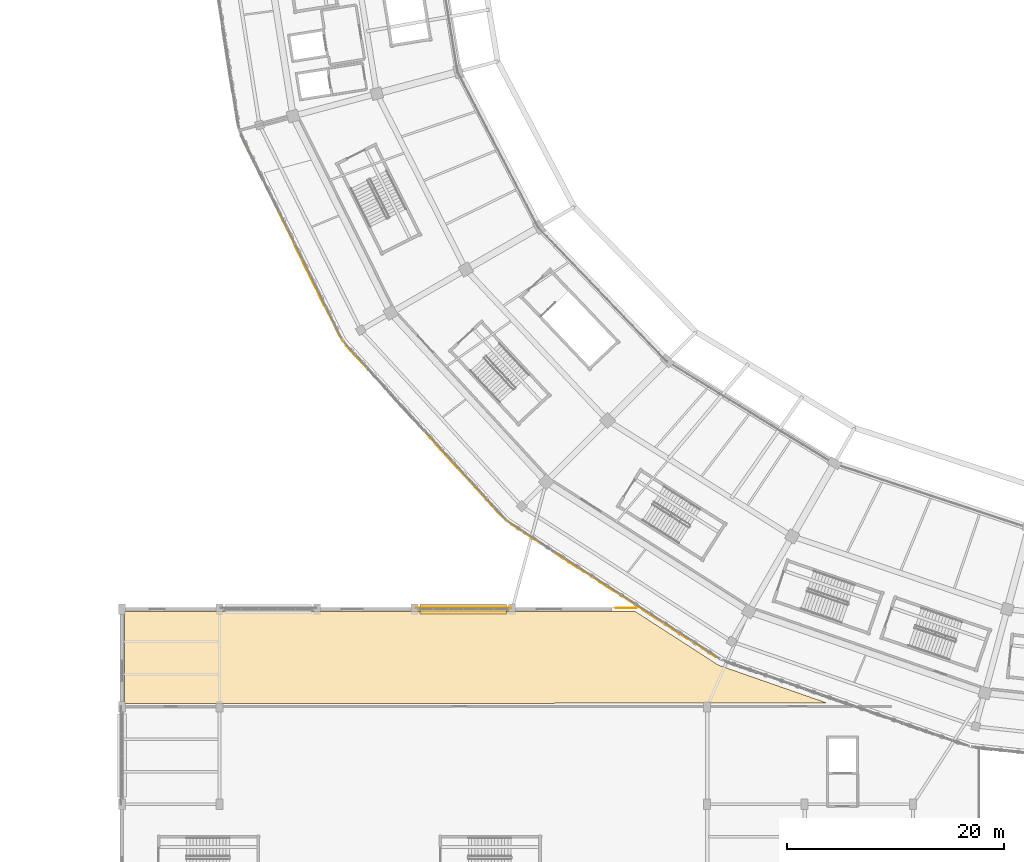
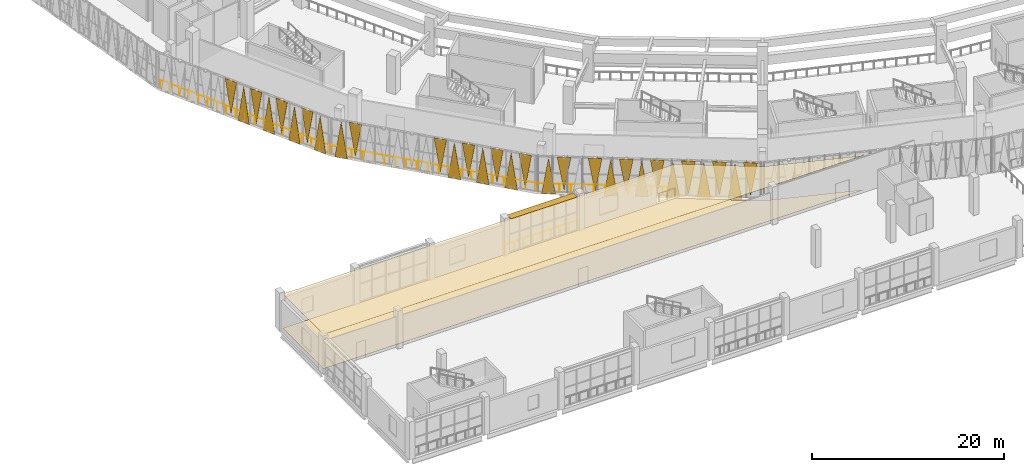
# One storey, part 128 of 179: 32 coverings, 5 railings, 1 shading device.
"""IFC4 building model written with IfcOpenShell, lengths in metres."""

from ifc_helpers import new_model, si_unit, direction, frame, origin, origin_2d, place, context, subcontext, project, spatial, polyline, rectangle, circle, outline, extrude, material, layer, layer_set, type_object, element, save


model = new_model("IFC4")

# Units and contexts
model_context = context("Model", 3, precision=1e-05, world=origin(), true_north=direction((0.0, 1.0)))
body_context = subcontext(model_context, "Body", "Model", "MODEL_VIEW")
ifc_project = project(units=[si_unit("LENGTHUNIT", "METRE"), si_unit("AREAUNIT", "SQUARE_METRE"), si_unit("VOLUMEUNIT", "CUBIC_METRE"), si_unit("PLANEANGLEUNIT", "RADIAN"), si_unit("MASSUNIT", "GRAM", prefix="KILO")], contexts=[model_context])

# Site, building, storey
site_placement = place(None, origin())
site = spatial("IfcSite", under=ifc_project, at=site_placement, CompositionType="ELEMENT")
building_placement = place(site_placement, origin())
building = spatial("IfcBuilding", under=site, at=building_placement, Name="Zevraka Park Crest Stadium", CompositionType="ELEMENT")
storey_placement = place(building_placement, frame((0.0, 0.0, 10.199951171875)))
storey = spatial("IfcBuildingStorey", under=building, at=storey_placement, Name="L02", CompositionType="ELEMENT", Elevation=10.199951171875)

# Coverings
ifc_material_1 = material(Name="Architectural golden-bronze perforated aluminium", Category="aluminium")
ifc_layer_1 = layer(ifc_material_1, 0.034912109375)
ifc_layer_set_1 = layer_set([ifc_layer_1], Name="Architectural golden-bronze perforated aluminium")
covering_type_1 = type_object("IfcCoveringType", Name="CLD01", PredefinedType="CLADDING", material=ifc_layer_set_1)
covering_1_placement = place(storey_placement, frame((24.137939453125, 62.2451171875, 4.47998046875), z_axis=(-0.897434992361, -0.441146717572, 8.9788862e-05), x_axis=(-0.44114671935, 0.897434995978, 0.0)))
element("IfcCovering", 1, at=covering_1_placement, inside=storey, type_object=covering_type_1, Name="Triangular Golden-Bronze Perforated Cladding L02-13-6", PredefinedType="CLADDING", context=body_context, shape_type="SweptSolid", body=[
    extrude(outline(polyline([(0.0, 0.0), (1.4350251579737685, 0.0), (0.717564581570145, 4.260009782797184), (0.0, 0.0)])), origin(), (0.0, 0.0, -1.0), 0.034912109375),
])
covering_2_placement = place(storey_placement, frame((24.2080078125, 62.10107421875, -0.239990234375), z_axis=(-0.897335594174, -0.441348861095, 0.000119322257), x_axis=(0.441348864237, -0.897335600562, 0.0)))
element("IfcCovering", 2, at=covering_2_placement, inside=storey, type_object=covering_type_1, Name="Triangular Golden-Bronze Perforated Cladding L02-13-7", PredefinedType="CLADDING", context=body_context, shape_type="SweptSolid", body=[
    extrude(outline(polyline([(0.0, 0.0), (1.4343678933426742, 0.0), (0.7169074213039619, 4.560058626212604), (0.0, 0.0)])), origin(), (0.0, 0.0, -1.0), 0.034912109375),
])
covering_3_placement = place(storey_placement, frame((25.5439453125, 59.382080078125, 4.47998046875), z_axis=(0.897434989947, 0.441146716385, 0.000115938685), x_axis=(-0.44114671935, 0.897434995978, 0.0)))
element("IfcCovering", 3, at=covering_3_placement, inside=storey, type_object=covering_type_1, Name="Triangular Golden-Bronze Perforated Cladding L02-13-8", PredefinedType="CLADDING", context=body_context, shape_type="SweptSolid", body=[
    extrude(outline(polyline([(0.0, 0.0), (1.4350251579737685, 0.0), (0.7171337742270297, -4.260009794256054), (0.0, 0.0)])), origin(), (0.0, 0.0, -1.0), 0.034912109375),
])
covering_4_placement = place(storey_placement, frame((25.614990234375, 59.239013671875, -0.239990234375), z_axis=(0.897468090966, 0.441079370712, 0.000120123687), x_axis=(0.441079373894, -0.897468097441, 0.0)))
element("IfcCovering", 4, at=covering_4_placement, inside=storey, type_object=covering_type_1, Name="Triangular Golden-Bronze Perforated Cladding L02-13-9", PredefinedType="CLADDING", context=body_context, shape_type="SweptSolid", body=[
    extrude(outline(polyline([(0.0, 0.0), (1.4352442623555979, 0.0), (0.7173529176927561, -4.56005862665014), (0.0, 0.0)])), origin(), (0.0, 0.0, -1.0), 0.034912109375),
])
covering_5_placement = place(storey_placement, frame((26.950927734375, 56.52001953125, 4.47998046875), z_axis=(0.897369847481, 0.441279196484, 0.000166080445), x_axis=(-0.44127920257, 0.897369859857, 0.0)))
element("IfcCovering", 5, at=covering_5_placement, inside=storey, type_object=covering_type_1, Name="Triangular Golden-Bronze Perforated Cladding L02-13-10", PredefinedType="CLADDING", context=body_context, shape_type="SweptSolid", body=[
    extrude(outline(polyline([(0.0, 0.0), (1.4340410704018465, 0.0), (0.7173527779363971, -4.260009824376318), (0.0, 0.0)])), origin(), (0.0, 0.0, -1.0), 0.034912109375),
])
covering_6_placement = place(storey_placement, frame((27.02197265625, 56.3759765625, -0.239990234375), z_axis=(0.897737356227, 0.440531087049, 2.4031946e-05), x_axis=(0.440531087176, -0.897737356486, 0.0)))
element("IfcCovering", 6, at=covering_6_placement, inside=storey, type_object=covering_type_1, Name="Triangular Golden-Bronze Perforated Cladding L02-13-11", PredefinedType="CLADDING", context=body_context, shape_type="SweptSolid", body=[
    extrude(outline(polyline([(0.0, 0.0), (1.4348137884574985, -1.6940658945086007e-21), (0.7173531184612717, -4.560058595066796), (0.0, 0.0)])), origin(), (0.0, 0.0, -1.0), 0.034912109375),
])
covering_7_placement = place(storey_placement, frame((28.35791015625, 53.656982421875, 4.47998046875), z_axis=(-0.897535423701, -0.44094234614, 0.000102875285), x_axis=(-0.440942348473, 0.89753542845, 0.0)))
element("IfcCovering", 7, at=covering_7_placement, inside=storey, type_object=covering_type_1, Name="Triangular Golden-Bronze Perforated Cladding L02-13-12", PredefinedType="CLADDING", context=body_context, shape_type="SweptSolid", body=[
    extrude(outline(polyline([(0.0, 0.0), (1.4351365936876894, 0.0), (0.717783600724935, 4.260009788167531), (0.0, 0.0)])), origin(), (0.0, 0.0, -1.0), 0.034912109375),
])
covering_8_placement = place(storey_placement, frame((28.427978515625, 53.512939453125, -0.239990234375), z_axis=(-0.897302423981, -0.441416274973, 0.000179183893), x_axis=(0.441416282059, -0.897302438386, 0.0)))
element("IfcCovering", 8, at=covering_8_placement, inside=storey, type_object=covering_type_1, Name="Triangular Golden-Bronze Perforated Cladding L02-13-13", PredefinedType="CLADDING", context=body_context, shape_type="SweptSolid", body=[
    extrude(outline(polyline([(0.0, 0.0), (1.4341488213161262, 0.0), (0.7167961598302272, 4.560058666954599), (0.0, 0.0)])), origin(), (0.0, 0.0, -1.0), 0.034912109375),
])
covering_9_placement = place(storey_placement, frame((29.652099609375, 51.35791015625, -0.239990234375), z_axis=(0.739533407377, 0.673119854594, 2.6908331e-05), x_axis=(0.673119854838, -0.739533407645, 0.0)))
element("IfcCovering", 9, at=covering_9_placement, inside=storey, type_object=covering_type_1, Name="Triangular Golden-Bronze Perforated Cladding L02-14-1", PredefinedType="CLADDING", context=body_context, shape_type="SweptSolid", body=[
    extrude(outline(polyline([(0.0, 0.0), (1.3858770045481608, -3.3881317890172014e-21), (0.6921665622222286, -4.560058595400875), (0.0, 0.0)])), origin(), (0.0, 0.0, -1.0), 0.034912109375),
])
covering_10_placement = place(storey_placement, frame((31.6259765625, 49.18994140625, 4.47998046875), z_axis=(-0.739174910845, -0.673513505333, 9.6497436e-05), x_axis=(-0.673513508469, 0.739174914286, 0.0)))
element("IfcCovering", 10, at=covering_10_placement, inside=storey, type_object=covering_type_1, Name="Triangular Golden-Bronze Perforated Cladding L02-14-2", PredefinedType="CLADDING", context=body_context, shape_type="SweptSolid", body=[
    extrude(outline(polyline([(0.0, 0.0), (1.3868794307835661, 1.3552527156068805e-20), (0.6929885588278876, 4.260009785459085), (0.0, 0.0)])), origin(), (0.0, 0.0, -1.0), 0.034912109375),
])
covering_11_placement = place(storey_placement, frame((37.8701171875, 42.330078125, 4.47998046875), z_axis=(-0.739445708947, -0.673216174272, 0.00016191895), x_axis=(-0.673216183098, 0.73944571864, 0.0)))
element("IfcCovering", 11, at=covering_11_placement, inside=storey, type_object=covering_type_1, Name="Triangular Golden-Bronze Perforated Cladding L02-14-8", PredefinedType="CLADDING", context=body_context, shape_type="SweptSolid", body=[
    extrude(outline(polyline([(0.0, 0.0), (1.3860413522097383, 1.3552527156068805e-20), (0.6929883374644674, 4.2600098214689295), (0.0, 0.0)])), origin(), (0.0, 0.0, -1.0), 0.034912109375),
])
covering_12_placement = place(storey_placement, frame((37.97802734375, 42.2119140625, -0.239990234375), z_axis=(0.739533401254, 0.673119849021, 0.000131466956), x_axis=(0.673119854838, -0.739533407645, 0.0)))
element("IfcCovering", 12, at=covering_12_placement, inside=storey, type_object=covering_type_1, Name="Triangular Golden-Bronze Perforated Cladding L02-14-9", PredefinedType="CLADDING", context=body_context, shape_type="SweptSolid", body=[
    extrude(outline(polyline([(0.0, 0.0), (1.3858770045481608, -1.3552527156068805e-20), (0.6930530987176917, -4.560058633157025), (0.0, 0.0)])), origin(), (0.0, 0.0, -1.0), 0.034912109375),
])
covering_13_placement = place(storey_placement, frame((39.950927734375, 40.04296875, 4.47998046875), z_axis=(0.7396132, 0.673032159371, 0.000163824932), x_axis=(-0.673032168403, 0.739613209925, 0.0)))
element("IfcCovering", 13, at=covering_13_placement, inside=storey, type_object=covering_type_1, Name="Triangular Golden-Bronze Perforated Cladding L02-14-10", PredefinedType="CLADDING", context=body_context, shape_type="SweptSolid", body=[
    extrude(outline(polyline([(0.0, 0.0), (1.386057564438635, 1.3552527156068805e-20), (0.6928888504307142, -4.260009822791368), (0.0, 0.0)])), origin(), (0.0, 0.0, -1.0), 0.034912109375),
])
covering_14_placement = place(storey_placement, frame((40.05908203125, 39.925048828125, -0.239990234375), z_axis=(-0.739613209914, -0.673032168393, 5.347016e-06), x_axis=(0.673032168403, -0.739613209925, 0.0)))
element("IfcCovering", 14, at=covering_14_placement, inside=storey, type_object=covering_type_1, Name="Triangular Golden-Bronze Perforated Cladding L02-14-11", PredefinedType="CLADDING", context=body_context, shape_type="SweptSolid", body=[
    extrude(outline(polyline([(0.0, 0.0), (1.386057564438635, 0.0), (0.69354610840767, 4.560058593815188), (0.0, 0.0)])), origin(), (0.0, 0.0, -1.0), 0.034912109375),
])
covering_15_placement = place(storey_placement, frame((42.032958984375, 37.757080078125, 4.47998046875), z_axis=(-0.739533395247, -0.673119843554, 0.000183109243), x_axis=(-0.673119854838, 0.739533407645, 0.0)))
element("IfcCovering", 15, at=covering_15_placement, inside=storey, type_object=covering_type_1, Name="Triangular Golden-Bronze Perforated Cladding L02-14-12", PredefinedType="CLADDING", context=body_context, shape_type="SweptSolid", body=[
    extrude(outline(polyline([(0.0, 0.0), (1.3858770045481608, -2.710505431213761e-20), (0.692988241732529, 4.260009837041926), (0.0, 0.0)])), origin(), (0.0, 0.0, -1.0), 0.034912109375),
])
covering_16_placement = place(storey_placement, frame((42.139892578125, 37.637939453125, -0.239990234375), z_axis=(-0.739095043274, -0.673601151874, 7.212776e-05), x_axis=(0.673601153626, -0.739095045196, 0.0)))
element("IfcCovering", 16, at=covering_16_placement, inside=storey, type_object=covering_type_1, Name="Triangular Golden-Bronze Perforated Cladding L02-14-13", PredefinedType="CLADDING", context=body_context, shape_type="SweptSolid", body=[
    extrude(outline(polyline([(0.0, 0.0), (1.3866989779070185, -6.776263578034403e-21), (0.6929886027009718, 4.560058605611656), (0.0, 0.0)])), origin(), (0.0, 0.0, -1.0), 0.034912109375),
])
covering_17_placement = place(storey_placement, frame((44.114013671875, 35.469970703125, 4.47998046875), z_axis=(-0.739525534251, -0.67312850486, 1.1678044e-05), x_axis=(-0.673128504906, 0.739525534301, 0.0)))
element("IfcCovering", 17, at=covering_17_placement, inside=storey, type_object=covering_type_1, Name="Triangular Golden-Bronze Perforated Cladding L02-14-14", PredefinedType="CLADDING", context=body_context, shape_type="SweptSolid", body=[
    extrude(outline(polyline([(0.0, 0.0), (1.386221890693398, -1.6940658945086007e-21), (0.6923308987535437, 4.260009765915483), (0.0, 0.0)])), origin(), (0.0, 0.0, -1.0), 0.034912109375),
])
covering_18_placement = place(storey_placement, frame((44.916015625, 34.7900390625, -0.239990234375), z_axis=(-0.543285997877, -0.839547690307, 1.4543474e-05), x_axis=(0.839547690396, -0.543285997934, 0.0)))
element("IfcCovering", 18, at=covering_18_placement, inside=storey, type_object=covering_type_1, Name="Triangular Golden-Bronze Perforated Cladding L02-15-1", PredefinedType="CLADDING", context=body_context, shape_type="SweptSolid", body=[
    extrude(outline(polyline([(0.0, 0.0), (1.457781335266565, 1.6940658945086007e-21), (0.7289931514822077, 4.560058594232255), (0.0, 0.0)])), origin(), (0.0, 0.0, -1.0), 0.034912109375),
])
covering_19_placement = place(storey_placement, frame((47.4990234375, 33.118896484375, 4.47998046875), z_axis=(-0.543209619056, -0.839597111575, 0.0), x_axis=(-0.839597111575, 0.543209619056, 0.0)))
element("IfcCovering", 19, at=covering_19_placement, inside=storey, type_object=covering_type_1, Name="Triangular Golden-Bronze Perforated Cladding L02-15-2", PredefinedType="CLADDING", context=body_context, shape_type="SweptSolid", body=[
    extrude(outline(polyline([(0.0, 0.0), (1.4579863089976983, 0.0), (0.7289931544988492, 4.260009765625), (0.0, 0.0)])), origin(), (0.0, 0.0, -1.0), 0.034912109375),
])
covering_20_placement = place(storey_placement, frame((50.217041015625, 31.362060546875, 4.47998046875), z_axis=(0.542904272256, 0.839794586369, 6.2227551e-05), x_axis=(-0.839794587995, 0.542904273307, 0.0)))
element("IfcCovering", 20, at=covering_20_placement, inside=storey, type_object=covering_type_1, Name="Triangular Golden-Bronze Perforated Cladding L02-15-4", PredefinedType="CLADDING", context=body_context, shape_type="SweptSolid", body=[
    extrude(outline(polyline([(0.0, 0.0), (1.458806324503112, 0.0), (0.7289931063003867, -4.260009773872949), (0.0, 0.0)])), origin(), (0.0, 0.0, -1.0), 0.034912109375),
])
covering_21_placement = place(storey_placement, frame((50.35107421875, 31.27490234375, -0.239990234375), z_axis=(0.542980582853, 0.839745247895, 7.2676489e-05), x_axis=(0.839745250113, -0.542980584287, 0.0)))
element("IfcCovering", 21, at=covering_21_placement, inside=storey, type_object=covering_type_1, Name="Triangular Golden-Bronze Perforated Cladding L02-15-5", PredefinedType="CLADDING", context=body_context, shape_type="SweptSolid", body=[
    extrude(outline(polyline([(0.0, 0.0), (1.4586013025497944, 0.0), (0.7287881114493888, -4.560058605792824), (0.0, 0.0)])), origin(), (0.0, 0.0, -1.0), 0.034912109375),
])
covering_22_placement = place(storey_placement, frame((52.93505859375, 29.60400390625, 4.47998046875), z_axis=(-0.542904272256, -0.839794586369, 6.2227551e-05), x_axis=(-0.839794587995, 0.542904273307, 0.0)))
element("IfcCovering", 22, at=covering_22_placement, inside=storey, type_object=covering_type_1, Name="Triangular Golden-Bronze Perforated Cladding L02-15-6", PredefinedType="CLADDING", context=body_context, shape_type="SweptSolid", body=[
    extrude(outline(polyline([(0.0, 0.0), (1.458806324503112, 0.0), (0.729813218202725, 4.260009773872949), (0.0, 0.0)])), origin(), (0.0, 0.0, -1.0), 0.034912109375),
])
covering_23_placement = place(storey_placement, frame((53.069091796875, 29.51708984375, -0.239990234375), z_axis=(0.543285997877, 0.839547690307, 1.4543474e-05), x_axis=(0.839547690396, -0.543285997934, 0.0)))
element("IfcCovering", 23, at=covering_23_placement, inside=storey, type_object=covering_type_1, Name="Triangular Golden-Bronze Perforated Cladding L02-15-7", PredefinedType="CLADDING", context=body_context, shape_type="SweptSolid", body=[
    extrude(outline(polyline([(0.0, 0.0), (1.457781335266565, 1.6940658945086007e-21), (0.7287881837843572, -4.560058594232255), (0.0, 0.0)])), origin(), (0.0, 0.0, -1.0), 0.034912109375),
])
covering_24_placement = place(storey_placement, frame((55.652099609375, 27.845947265625, 4.47998046875), z_axis=(-0.543209619056, -0.839597111575, 0.0), x_axis=(-0.839597111575, 0.543209619056, 0.0)))
element("IfcCovering", 24, at=covering_24_placement, inside=storey, type_object=covering_type_1, Name="Triangular Golden-Bronze Perforated Cladding L02-15-8", PredefinedType="CLADDING", context=body_context, shape_type="SweptSolid", body=[
    extrude(outline(polyline([(0.0, 0.0), (1.4579863089976983, 0.0), (0.7289931544988492, 4.260009765625), (0.0, 0.0)])), origin(), (0.0, 0.0, -1.0), 0.034912109375),
])
covering_25_placement = place(storey_placement, frame((55.785888671875, 27.759033203125, -0.239990234375), z_axis=(-0.54290427239, -0.839794586576, 5.813302e-05), x_axis=(0.839794587995, -0.542904273307, 0.0)))
element("IfcCovering", 25, at=covering_25_placement, inside=storey, type_object=covering_type_1, Name="Triangular Golden-Bronze Perforated Cladding L02-15-9", PredefinedType="CLADDING", context=body_context, shape_type="SweptSolid", body=[
    extrude(outline(polyline([(0.0, 0.0), (1.458806324503112, 0.0), (0.729813218202725, 4.56005860145524), (0.0, 0.0)])), origin(), (0.0, 0.0, -1.0), 0.034912109375),
])
covering_26_placement = place(storey_placement, frame((58.3701171875, 26.087890625, 4.47998046875), z_axis=(0.542904272256, 0.839794586369, 6.2227551e-05), x_axis=(-0.839794587995, 0.542904273307, 0.0)))
element("IfcCovering", 26, at=covering_26_placement, inside=storey, type_object=covering_type_1, Name="Triangular Golden-Bronze Perforated Cladding L02-15-10", PredefinedType="CLADDING", context=body_context, shape_type="SweptSolid", body=[
    extrude(outline(polyline([(0.0, 0.0), (1.458806324503112, 0.0), (0.7289931063003867, -4.260009773872949), (0.0, 0.0)])), origin(), (0.0, 0.0, -1.0), 0.034912109375),
])
covering_27_placement = place(storey_placement, frame((58.50390625, 26.0009765625, -0.239990234375), z_axis=(0.54290427239, 0.839794586576, 5.813302e-05), x_axis=(0.839794587995, -0.542904273307, 0.0)))
element("IfcCovering", 27, at=covering_27_placement, inside=storey, type_object=covering_type_1, Name="Triangular Golden-Bronze Perforated Cladding L02-15-11", PredefinedType="CLADDING", context=body_context, shape_type="SweptSolid", body=[
    extrude(outline(polyline([(0.0, 0.0), (1.458806324503112, 0.0), (0.7289931063003867, -4.56005860145524), (0.0, 0.0)])), origin(), (0.0, 0.0, -1.0), 0.034912109375),
])
covering_28_placement = place(storey_placement, frame((61.0869140625, 24.3310546875, 4.47998046875), z_axis=(0.543285997868, 0.839547690294, 1.5567826e-05), x_axis=(-0.839547690396, 0.543285997934, 0.0)))
element("IfcCovering", 28, at=covering_28_placement, inside=storey, type_object=covering_type_1, Name="Triangular Golden-Bronze Perforated Cladding L02-15-12", PredefinedType="CLADDING", context=body_context, shape_type="SweptSolid", body=[
    extrude(outline(polyline([(0.0, 0.0), (1.457781335266565, -1.6940658945086007e-21), (0.7287881837843572, -4.260009766141223), (0.0, 0.0)])), origin(), (0.0, 0.0, -1.0), 0.034912109375),
])
covering_29_placement = place(storey_placement, frame((61.221923828125, 24.243896484375, -0.239990234375), z_axis=(-0.543209619056, -0.839597111575, 0.0), x_axis=(0.839597111575, -0.543209619056, 0.0)))
element("IfcCovering", 29, at=covering_29_placement, inside=storey, type_object=covering_type_1, Name="Triangular Golden-Bronze Perforated Cladding L02-15-13", PredefinedType="CLADDING", context=body_context, shape_type="SweptSolid", body=[
    extrude(outline(polyline([(0.0, 0.0), (1.4579863089976983, 0.0), (0.7289931544988492, 4.56005859375), (0.0, 0.0)])), origin(), (0.0, 0.0, -1.0), 0.034912109375),
])
covering_30_placement = place(storey_placement, frame((63.804931640625, 22.572998046875, 4.47998046875), z_axis=(0.543285997868, 0.839547690294, 1.5567826e-05), x_axis=(-0.839547690396, 0.543285997934, 0.0)))
element("IfcCovering", 30, at=covering_30_placement, inside=storey, type_object=covering_type_1, Name="Triangular Golden-Bronze Perforated Cladding L02-15-14", PredefinedType="CLADDING", context=body_context, shape_type="SweptSolid", body=[
    extrude(outline(polyline([(0.0, 0.0), (1.457781335266565, -1.6940658945086007e-21), (0.7287881837843572, -4.260009766141223), (0.0, 0.0)])), origin(), (0.0, 0.0, -1.0), 0.034912109375),
])
ifc_material_2 = material(Name="Perforated acoustic mineral-fibre suspended ceiling", Category="other")
ifc_layer_2 = layer(ifc_material_2, 0.02490234375)
ifc_layer_set_2 = layer_set([ifc_layer_2], Name="Perforated acoustic mineral-fibre suspended ceiling")
covering_type_2 = type_object("IfcCoveringType", Name="CLG01", PredefinedType="CEILING", material=ifc_layer_set_2)
covering_31_placement = place(storey_placement, frame((0.0, 0.0, 4.360107421875)))
element("IfcCovering", 31, at=covering_31_placement, inside=storey, type_object=covering_type_2, Name="Acoustic Ceiling Event Security and Accreditation Office L02-066", PredefinedType="CEILING", context=body_context, shape_type="SweptSolid", body=[
    extrude(outline(polyline([(9.2060546875, 18.300048828125), (9.205078125, 26.7939453125), (56.344970703125, 26.794921875), (64.02001953125, 21.843017578125), (64.0400390625, 21.8310546875), (64.06201171875, 21.822021484375), (74.0791015625, 18.323974609375), (9.2060546875, 18.300048828125)])), origin(), (0.0, 0.0, 1.0), 0.02490234375),
])
ifc_material_3 = material(Name="Honed terrazzo and slip-resistant sports flooring", Category="other")
ifc_layer_3 = layer(ifc_material_3, 0.0400390625)
ifc_layer_set_3 = layer_set([ifc_layer_3], Name="Honed terrazzo and slip-resistant sports flooring")
covering_type_3 = type_object("IfcCoveringType", Name="FLR01", PredefinedType="FLOORING", material=ifc_layer_set_3)
covering_32_placement = place(storey_placement, origin())
element("IfcCovering", 32, at=covering_32_placement, inside=storey, type_object=covering_type_3, Name="Terrazzo Floor Finish Event Security and Accreditation Office L02-066", PredefinedType="FLOORING", context=body_context, shape_type="SweptSolid", body=[
    extrude(outline(polyline([(9.2060546875, 18.300048828125), (9.205078125, 26.7939453125), (56.344970703125, 26.794921875), (64.02001953125, 21.843017578125), (64.0400390625, 21.8310546875), (64.06201171875, 21.822021484375), (74.0791015625, 18.323974609375), (9.2060546875, 18.300048828125)])), origin(), (0.0, 0.0, 1.0), 0.0400390625),
])

# Railings
ifc_material_4 = material(Name="Galvanised and bronze-finished steel balustrade", Category="steel")
railing_type = type_object("IfcRailingType", Name="GR01", PredefinedType="GUARDRAIL", material=ifc_material_4)
railing_1_placement = place(storey_placement, frame((36.115966796875, 27.10498046875, 0.0)))
element("IfcRailing", 33, at=railing_1_placement, inside=storey, type_object=railing_type, Name="Deck Edge Protection Guardrail GR01 L02-43", PredefinedType="GUARDRAIL", context=body_context, shape_type="SweptSolid", body=[
    extrude(circle(Radius=0.02392578125, at=origin_2d()), frame((0.0, 0.0, 1.076171875), z_axis=(1.0, 0.0, 0.0), x_axis=(0.0, 1.0, 0.0)), (0.0, 0.0, 1.0), 8.76806640625),
    extrude(circle(Radius=0.02099609375, at=origin_2d()), origin(), (0.0, 0.0, 1.0), 1.052001953125),
    extrude(circle(Radius=0.02099609375, at=origin_2d()), frame((1.095947265625, 0.0, 0.0)), (0.0, 0.0, 1.0), 1.052001953125),
    extrude(circle(Radius=0.02099609375, at=origin_2d()), frame((2.19189453125, 0.0, 0.0)), (0.0, 0.0, 1.0), 1.052001953125),
    extrude(circle(Radius=0.02099609375, at=origin_2d()), frame((3.2880859375, 0.0, 0.0)), (0.0, 0.0, 1.0), 1.052001953125),
    extrude(circle(Radius=0.02099609375, at=origin_2d()), frame((4.384033203125, 0.0, 0.0)), (0.0, 0.0, 1.0), 1.052001953125),
    extrude(circle(Radius=0.02099609375, at=origin_2d()), frame((5.47998046875, 0.0, 0.0)), (0.0, 0.0, 1.0), 1.052001953125),
    extrude(circle(Radius=0.02099609375, at=origin_2d()), frame((6.576171875, 0.0, 0.0)), (0.0, 0.0, 1.0), 1.052001953125),
    extrude(circle(Radius=0.02099609375, at=origin_2d()), frame((7.672119140625, 0.0, 0.0)), (0.0, 0.0, 1.0), 1.052001953125),
    extrude(circle(Radius=0.02099609375, at=origin_2d()), frame((8.76806640625, 0.0, 0.0)), (0.0, 0.0, 1.0), 1.052001953125),
])
railing_2_placement = place(storey_placement, frame((54.56591796875, 27.10498046875, 0.0)))
element("IfcRailing", 34, at=railing_2_placement, inside=storey, type_object=railing_type, Name="Deck Edge Protection Guardrail GR01 L02-44", PredefinedType="GUARDRAIL", context=body_context, shape_type="SweptSolid", body=[
    extrude(circle(Radius=0.02392578125, at=origin_2d()), frame((0.0, 0.0, 1.076171875), z_axis=(1.0, 0.0, 0.0), x_axis=(0.0, 1.0, 0.0)), (0.0, 0.0, 1.0), 1.93017578125),
    extrude(circle(Radius=0.02099609375, at=origin_2d()), origin(), (0.0, 0.0, 1.0), 1.052001953125),
    extrude(circle(Radius=0.02099609375, at=origin_2d()), frame((0.965087890625, 0.0, 0.0)), (0.0, 0.0, 1.0), 1.052001953125),
    extrude(circle(Radius=0.02099609375, at=origin_2d()), frame((1.93017578125, 0.0, 0.0)), (0.0, 0.0, 1.0), 1.052001953125),
])
railing_3_placement = place(storey_placement, frame((56.556884765625, 27.343994140625, 0.0)))
element("IfcRailing", 35, at=railing_3_placement, inside=storey, type_object=railing_type, Name="Deck Edge Protection Guardrail GR01 L02-45", PredefinedType="GUARDRAIL", context=body_context, shape_type="SweptSolid", body=[
    extrude(circle(Radius=0.02392578125, at=origin_2d()), frame((0.0, 0.0, 1.076171875), z_axis=(-0.839645521014, 0.543134789017, 0.0), x_axis=(-0.543134789017, -0.839645521014, 0.0)), (0.0, 0.0, 1.0), 14.339111328125),
    extrude(circle(Radius=0.02099609375, at=origin_2d()), origin(), (0.0, 0.0, 1.0), 1.052001953125),
    extrude(circle(Radius=0.02099609375, at=origin_2d()), frame((-1.00341796875, 0.64892578125, 0.0)), (0.0, 0.0, 1.0), 1.052001953125),
    extrude(circle(Radius=0.02099609375, at=origin_2d()), frame((-2.006591796875, 1.298095703125, 0.0)), (0.0, 0.0, 1.0), 1.052001953125),
    extrude(circle(Radius=0.02099609375, at=origin_2d()), frame((-3.010009765625, 1.947021484375, 0.0)), (0.0, 0.0, 1.0), 1.052001953125),
    extrude(circle(Radius=0.02099609375, at=origin_2d()), frame((-4.01318359375, 2.595947265625, 0.0)), (0.0, 0.0, 1.0), 1.052001953125),
    extrude(circle(Radius=0.02099609375, at=origin_2d()), frame((-5.0166015625, 3.2451171875, 0.0)), (0.0, 0.0, 1.0), 1.052001953125),
    extrude(circle(Radius=0.02099609375, at=origin_2d()), frame((-6.02001953125, 3.89404296875, 0.0)), (0.0, 0.0, 1.0), 1.052001953125),
    extrude(circle(Radius=0.02099609375, at=origin_2d()), frame((-7.023193359375, 4.54296875, 0.0)), (0.0, 0.0, 1.0), 1.052001953125),
    extrude(circle(Radius=0.02099609375, at=origin_2d()), frame((-8.026611328125, 5.192138671875, 0.0)), (0.0, 0.0, 1.0), 1.052001953125),
    extrude(circle(Radius=0.02099609375, at=origin_2d()), frame((-9.02978515625, 5.841064453125, 0.0)), (0.0, 0.0, 1.0), 1.052001953125),
    extrude(circle(Radius=0.02099609375, at=origin_2d()), frame((-10.033203125, 6.489990234375, 0.0)), (0.0, 0.0, 1.0), 1.052001953125),
    extrude(circle(Radius=0.02099609375, at=origin_2d()), frame((-11.036376953125, 7.13916015625, 0.0)), (0.0, 0.0, 1.0), 1.052001953125),
    extrude(circle(Radius=0.02099609375, at=origin_2d()), frame((-12.039794921875, 7.7880859375, 0.0)), (0.0, 0.0, 1.0), 1.052001953125),
])
railing_4_placement = place(storey_placement, frame((44.51708984375, 35.132080078125, 0.0)))
element("IfcRailing", 36, at=railing_4_placement, inside=storey, type_object=railing_type, Name="Deck Edge Protection Guardrail GR01 L02-46", PredefinedType="GUARDRAIL", context=body_context, shape_type="SweptSolid", body=[
    extrude(circle(Radius=0.02392578125, at=origin_2d()), frame((0.0, 0.0, 1.076171875), z_axis=(-0.673170013171, 0.739487750654, 0.0), x_axis=(-0.739487750654, -0.673170013171, 0.0)), (0.0, 0.0, 1.0), 22.5263671875),
    extrude(circle(Radius=0.02099609375, at=origin_2d()), origin(), (0.0, 0.0, 1.0), 1.052001953125),
    extrude(circle(Radius=0.02099609375, at=origin_2d()), frame((-0.798095703125, 0.876708984375, 0.0)), (0.0, 0.0, 1.0), 1.052001953125),
    extrude(circle(Radius=0.02099609375, at=origin_2d()), frame((-1.59619140625, 1.75341796875, 0.0)), (0.0, 0.0, 1.0), 1.052001953125),
    extrude(circle(Radius=0.02099609375, at=origin_2d()), frame((-2.394287109375, 2.630126953125, 0.0)), (0.0, 0.0, 1.0), 1.052001953125),
    extrude(circle(Radius=0.02099609375, at=origin_2d()), frame((-3.1923828125, 3.5068359375, 0.0)), (0.0, 0.0, 1.0), 1.052001953125),
    extrude(circle(Radius=0.02099609375, at=origin_2d()), frame((-3.990478515625, 4.3837890625, 0.0)), (0.0, 0.0, 1.0), 1.052001953125),
    extrude(circle(Radius=0.02099609375, at=origin_2d()), frame((-4.78857421875, 5.260498046875, 0.0)), (0.0, 0.0, 1.0), 1.052001953125),
    extrude(circle(Radius=0.02099609375, at=origin_2d()), frame((-5.586669921875, 6.13720703125, 0.0)), (0.0, 0.0, 1.0), 1.052001953125),
    extrude(circle(Radius=0.02099609375, at=origin_2d()), frame((-6.384765625, 7.013916015625, 0.0)), (0.0, 0.0, 1.0), 1.052001953125),
    extrude(circle(Radius=0.02099609375, at=origin_2d()), frame((-7.182861328125, 7.890625, 0.0)), (0.0, 0.0, 1.0), 1.052001953125),
    extrude(circle(Radius=0.02099609375, at=origin_2d()), frame((-7.981201171875, 8.767333984375, 0.0)), (0.0, 0.0, 1.0), 1.052001953125),
    extrude(circle(Radius=0.02099609375, at=origin_2d()), frame((-8.779296875, 9.64404296875, 0.0)), (0.0, 0.0, 1.0), 1.052001953125),
    extrude(circle(Radius=0.02099609375, at=origin_2d()), frame((-9.577392578125, 10.520751953125, 0.0)), (0.0, 0.0, 1.0), 1.052001953125),
    extrude(circle(Radius=0.02099609375, at=origin_2d()), frame((-10.37548828125, 11.3974609375, 0.0)), (0.0, 0.0, 1.0), 1.052001953125),
    extrude(circle(Radius=0.02099609375, at=origin_2d()), frame((-11.173583984375, 12.274169921875, 0.0)), (0.0, 0.0, 1.0), 1.052001953125),
    extrude(circle(Radius=0.02099609375, at=origin_2d()), frame((-11.9716796875, 13.151123046875, 0.0)), (0.0, 0.0, 1.0), 1.052001953125),
    extrude(circle(Radius=0.02099609375, at=origin_2d()), frame((-12.769775390625, 14.02783203125, 0.0)), (0.0, 0.0, 1.0), 1.052001953125),
    extrude(circle(Radius=0.02099609375, at=origin_2d()), frame((-13.56787109375, 14.904541015625, 0.0)), (0.0, 0.0, 1.0), 1.052001953125),
    extrude(circle(Radius=0.02099609375, at=origin_2d()), frame((-14.365966796875, 15.78125, 0.0)), (0.0, 0.0, 1.0), 1.052001953125),
    extrude(circle(Radius=0.02099609375, at=origin_2d()), frame((-15.1640625, 16.657958984375, 0.0)), (0.0, 0.0, 1.0), 1.052001953125),
])
railing_5_placement = place(storey_placement, frame((29.35302734375, 51.7900390625, 0.0)))
element("IfcRailing", 37, at=railing_5_placement, inside=storey, type_object=railing_type, Name="Deck Edge Protection Guardrail GR01 L02-47", PredefinedType="GUARDRAIL", context=body_context, shape_type="SweptSolid", body=[
    extrude(circle(Radius=0.02392578125, at=origin_2d()), frame((0.0, 0.0, 1.076171875), z_axis=(-0.441044128991, 0.897485418423, 0.0), x_axis=(-0.897485418423, -0.441044128991, 0.0)), (0.0, 0.0, 1.0), 21.2314453125),
    extrude(circle(Radius=0.02099609375, at=origin_2d()), origin(), (0.0, 0.0, 1.0), 1.052001953125),
    extrude(circle(Radius=0.02099609375, at=origin_2d()), frame((-0.520263671875, 1.05859375, 0.0)), (0.0, 0.0, 1.0), 1.052001953125),
    extrude(circle(Radius=0.02099609375, at=origin_2d()), frame((-1.04052734375, 2.1171875, 0.0)), (0.0, 0.0, 1.0), 1.052001953125),
    extrude(circle(Radius=0.02099609375, at=origin_2d()), frame((-1.560546875, 3.17578125, 0.0)), (0.0, 0.0, 1.0), 1.052001953125),
    extrude(circle(Radius=0.02099609375, at=origin_2d()), frame((-2.080810546875, 4.234375, 0.0)), (0.0, 0.0, 1.0), 1.052001953125),
    extrude(circle(Radius=0.02099609375, at=origin_2d()), frame((-2.60107421875, 5.29296875, 0.0)), (0.0, 0.0, 1.0), 1.052001953125),
    extrude(circle(Radius=0.02099609375, at=origin_2d()), frame((-3.121337890625, 6.3515625, 0.0)), (0.0, 0.0, 1.0), 1.052001953125),
    extrude(circle(Radius=0.02099609375, at=origin_2d()), frame((-3.6416015625, 7.41015625, 0.0)), (0.0, 0.0, 1.0), 1.052001953125),
    extrude(circle(Radius=0.02099609375, at=origin_2d()), frame((-4.161865234375, 8.46875, 0.0)), (0.0, 0.0, 1.0), 1.052001953125),
    extrude(circle(Radius=0.02099609375, at=origin_2d()), frame((-4.68212890625, 9.52734375, 0.0)), (0.0, 0.0, 1.0), 1.052001953125),
    extrude(circle(Radius=0.02099609375, at=origin_2d()), frame((-5.2021484375, 10.586181640625, 0.0)), (0.0, 0.0, 1.0), 1.052001953125),
    extrude(circle(Radius=0.02099609375, at=origin_2d()), frame((-5.722412109375, 11.644775390625, 0.0)), (0.0, 0.0, 1.0), 1.052001953125),
    extrude(circle(Radius=0.02099609375, at=origin_2d()), frame((-6.24267578125, 12.703369140625, 0.0)), (0.0, 0.0, 1.0), 1.052001953125),
    extrude(circle(Radius=0.02099609375, at=origin_2d()), frame((-6.762939453125, 13.761962890625, 0.0)), (0.0, 0.0, 1.0), 1.052001953125),
    extrude(circle(Radius=0.02099609375, at=origin_2d()), frame((-7.283203125, 14.820556640625, 0.0)), (0.0, 0.0, 1.0), 1.052001953125),
    extrude(circle(Radius=0.02099609375, at=origin_2d()), frame((-7.80322265625, 15.879150390625, 0.0)), (0.0, 0.0, 1.0), 1.052001953125),
    extrude(circle(Radius=0.02099609375, at=origin_2d()), frame((-8.323486328125, 16.937744140625, 0.0)), (0.0, 0.0, 1.0), 1.052001953125),
    extrude(circle(Radius=0.02099609375, at=origin_2d()), frame((-8.84375, 17.996337890625, 0.0)), (0.0, 0.0, 1.0), 1.052001953125),
    extrude(circle(Radius=0.02099609375, at=origin_2d()), frame((-9.364013671875, 19.054931640625, 0.0)), (0.0, 0.0, 1.0), 1.052001953125),
])

# Shading device
ifc_material_5 = material(Name="Architectural golden-bronze anodised bronze", Category="aluminium")
ifc_layer_4 = layer(ifc_material_5, 0.06005859375)
ifc_layer_set_4 = layer_set([ifc_layer_4], Name="Architectural golden-bronze anodised bronze")
shading_device_type = type_object("IfcShadingDeviceType", Name="SHD01", PredefinedType="USERDEFINED", material=ifc_layer_set_4)
shading_device_placement = place(storey_placement, frame((40.5, 27.0, 4.419921875), z_axis=(0.0, 0.0, 1.0), x_axis=(1.0, 0.0, 0.0)))
element("IfcShadingDevice", 38, at=shading_device_placement, inside=storey, type_object=shading_device_type, Name="Wing Bronze Solar Screen SHD01 L02-SW-N-4", ObjectType="SOLAR SCREEN", PredefinedType="USERDEFINED", context=body_context, shape_type="SweptSolid", body=[
    extrude(rectangle(XDim=7.969970703125, YDim=0.85009765625, at=origin_2d()), origin(), (0.0, 0.0, 1.0), 0.06005859375),
])

save(model, "model.ifc")
